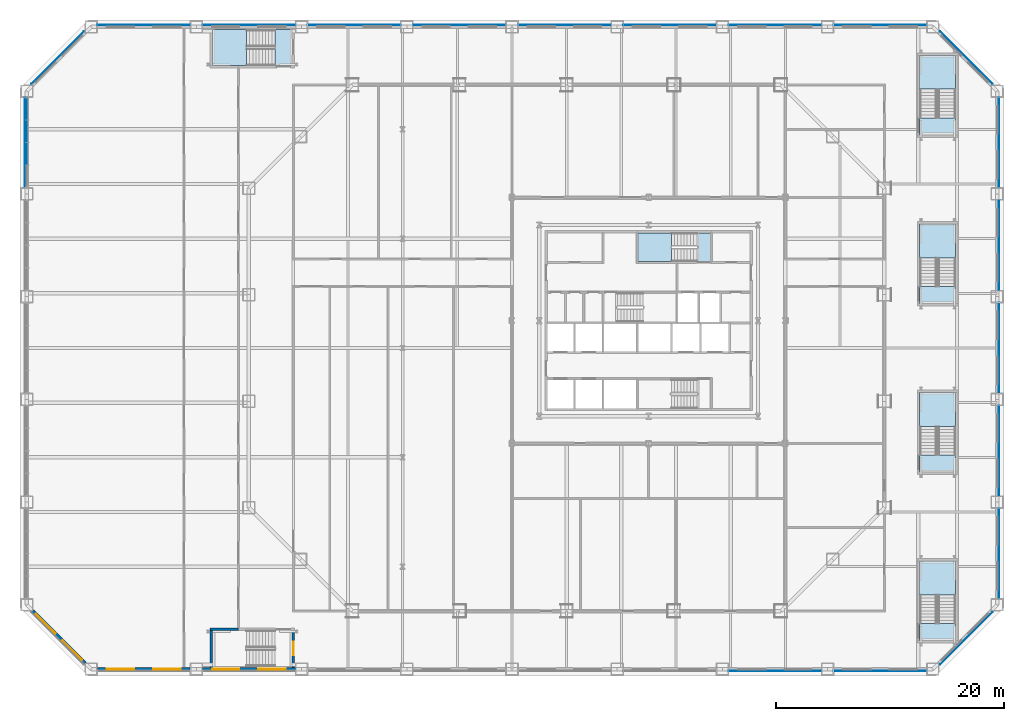
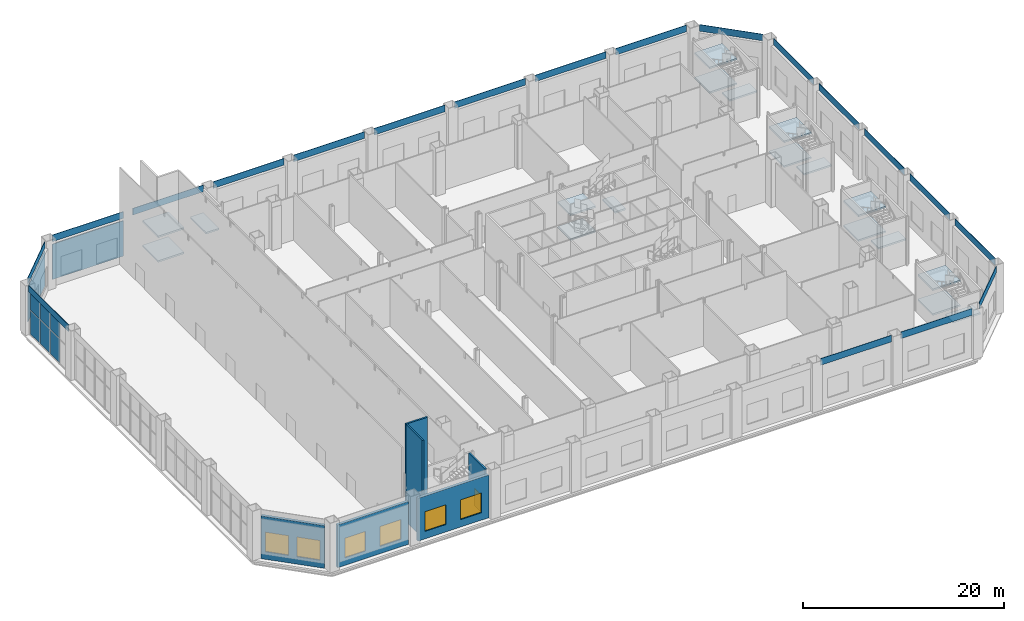
# One storey, part 15 of 31: 27 plates, 18 slabs, 6 walls, 6 windows, 1 door, 7 openings, 7 elements without a shape of their own.
"""IFC4 building model written with IfcOpenShell, lengths in metres."""

from ifc_helpers import new_model, si_unit, direction, frame, frame_2d, origin, origin_2d, place, context, subcontext, project, spatial, polyline, rectangle, outline, extrude, material, layer, layer_set, type_object, element, fill, aggregate, save


model = new_model("IFC4")

# Units and contexts
model_context = context("Model", 3, precision=1e-05, world=origin(), true_north=direction((0.0, 1.0)))
body_context = subcontext(model_context, "Body", "Model", "MODEL_VIEW")
ifc_project = project(units=[si_unit("LENGTHUNIT", "METRE"), si_unit("AREAUNIT", "SQUARE_METRE"), si_unit("VOLUMEUNIT", "CUBIC_METRE"), si_unit("PLANEANGLEUNIT", "RADIAN"), si_unit("MASSUNIT", "GRAM", prefix="KILO")], contexts=[model_context])

# Site, building, storey
site_placement = place(None, origin())
site = spatial("IfcSite", under=ifc_project, at=site_placement, CompositionType="ELEMENT")
building_placement = place(site_placement, origin())
building = spatial("IfcBuilding", under=site, at=building_placement, Name="Cairn Pilgrim Tower", CompositionType="ELEMENT")
storey_placement = place(building_placement, frame((0.0, 0.0, 9.0)))
storey = spatial("IfcBuildingStorey", under=building, at=storey_placement, Name="L01", CompositionType="ELEMENT", Elevation=9.0)

# Plates
ifc_material_1 = material(Name="Bronze anodised aluminium", Category="aluminium")
ifc_layer_1 = layer(ifc_material_1, 0.050048828125)
ifc_layer_set_1 = layer_set([ifc_layer_1], Name="BRONZE FASCIA PANEL 50")
plate_type_1 = type_object("IfcPlateType", Name="BRONZE FASCIA PANEL 50", PredefinedType="SHEET", material=ifc_layer_set_1)
for number, where, z_axis, x_axis, name in (
    (1, (18.294677734375, -28.375, 5.2001953125), (0.0, 0.0, 1.0), (1.0, 0.0, 0.0), "FASCIA"),
    (2, (27.532470703125, -28.375, 5.2001953125), (0.0, 0.0, 1.0), (1.0, 0.0, 0.0), "FASCIA"),
):
    element("IfcPlate", number, at=place(storey_placement, frame(where, z_axis=z_axis, x_axis=x_axis)), inside=storey, type_object=plate_type_1, Name=name, PredefinedType="SHEET", context=body_context, shape_type="SweptSolid", body=[
        extrude(rectangle(XDim=8.137939453125, YDim=0.050048828125, at=origin_2d()), origin(), (0.0, 0.0, 1.0), 0.800048828125),
    ])
plate_1_placement = place(storey_placement, frame((35.099609375, -25.49951171875, 5.2001953125), z_axis=(0.0, 0.0, 1.0), x_axis=(0.707106781187, 0.707106781187, 0.0)))
element("IfcPlate", 3, at=plate_1_placement, inside=storey, type_object=plate_type_1, Name="FASCIA", PredefinedType="SHEET", context=body_context, shape_type="SweptSolid", body=[
    extrude(rectangle(XDim=6.50830078125, YDim=0.050048828125, at=origin_2d()), origin(), (0.0, 0.0, 1.0), 0.800048828125),
])
for number, where, z_axis, x_axis, name in (
    (4, (37.97509765625, -18.041259765625, 5.2001953125), (0.0, 0.0, 1.0), (0.0, 1.0, 0.0), "FASCIA"),
    (5, (37.97509765625, -9.0205078125, 5.2001953125), (0.0, 0.0, 1.0), (0.0, 1.0, 0.0), "FASCIA"),
    (6, (37.97509765625, 0.0, 5.2001953125), (0.0, 0.0, 1.0), (0.0, 1.0, 0.0), "FASCIA"),
    (7, (37.97509765625, 9.0205078125, 5.2001953125), (0.0, 0.0, 1.0), (0.0, 1.0, 0.0), "FASCIA"),
    (8, (37.97509765625, 18.041259765625, 5.2001953125), (0.0, 0.0, 1.0), (0.0, 1.0, 0.0), "FASCIA"),
):
    element("IfcPlate", number, at=place(storey_placement, frame(where, z_axis=z_axis, x_axis=x_axis)), inside=storey, type_object=plate_type_1, Name=name, PredefinedType="SHEET", context=body_context, shape_type="SweptSolid", body=[
        extrude(rectangle(XDim=7.920654296875, YDim=0.050048828125, at=origin_2d()), origin(), (0.0, 0.0, 1.0), 0.800048828125),
    ])
plate_2_placement = place(storey_placement, frame((35.099609375, 25.49951171875, 5.2001953125), z_axis=(0.0, 0.0, 1.0), x_axis=(-0.707106781187, 0.707106781187, 0.0)))
element("IfcPlate", 9, at=plate_2_placement, inside=storey, type_object=plate_type_1, Name="FASCIA", PredefinedType="SHEET", context=body_context, shape_type="SweptSolid", body=[
    extrude(rectangle(XDim=6.50830078125, YDim=0.050048828125, at=origin_2d()), origin(), (0.0, 0.0, 1.0), 0.800048828125),
])
for number, where, z_axis, x_axis, name in (
    (10, (27.532470703125, 28.375, 5.2001953125), (0.0, 0.0, 1.0), (-1.0, 0.0, 0.0), "FASCIA"),
    (11, (18.294677734375, 28.375, 5.2001953125), (0.0, 0.0, 1.0), (-1.0, 0.0, 0.0), "FASCIA"),
    (12, (9.056884765625, 28.375, 5.2001953125), (0.0, 0.0, 1.0), (-1.0, 0.0, 0.0), "FASCIA"),
    (13, (-0.18115234375, 28.375, 5.2001953125), (0.0, 0.0, 1.0), (-1.0, 0.0, 0.0), "FASCIA"),
    (14, (-9.4189453125, 28.375, 5.2001953125), (0.0, 0.0, 1.0), (-1.0, 0.0, 0.0), "FASCIA"),
    (15, (-18.65673828125, 28.375, 5.2001953125), (0.0, 0.0, 1.0), (-1.0, 0.0, 0.0), "FASCIA"),
    (16, (-27.894775390625, 28.375, 5.2001953125), (0.0, 0.0, 1.0), (-1.0, 0.0, 0.0), "FASCIA"),
    (17, (-37.132568359375, 28.375, 5.2001953125), (0.0, 0.0, 1.0), (-1.0, 0.0, 0.0), "FASCIA"),
):
    element("IfcPlate", number, at=place(storey_placement, frame(where, z_axis=z_axis, x_axis=x_axis)), inside=storey, type_object=plate_type_1, Name=name, PredefinedType="SHEET", context=body_context, shape_type="SweptSolid", body=[
        extrude(rectangle(XDim=8.137939453125, YDim=0.050048828125, at=origin_2d()), origin(), (0.0, 0.0, 1.0), 0.800048828125),
    ])
plate_3_placement = place(storey_placement, frame((-44.699462890625, 25.49951171875, 5.2001953125), z_axis=(0.0, 0.0, 1.0), x_axis=(-0.707106781187, -0.707106781187, 0.0)))
element("IfcPlate", 18, at=plate_3_placement, inside=storey, type_object=plate_type_1, Name="FASCIA", PredefinedType="SHEET", context=body_context, shape_type="SweptSolid", body=[
    extrude(rectangle(XDim=6.50830078125, YDim=0.050048828125, at=origin_2d()), origin(), (0.0, 0.0, 1.0), 0.800048828125),
])
plate_4_placement = place(storey_placement, frame((-47.574951171875, 18.041259765625, 5.2001953125), z_axis=(0.0, 0.0, 1.0), x_axis=(0.0, -1.0, 0.0)))
element("IfcPlate", 19, at=plate_4_placement, inside=storey, type_object=plate_type_1, Name="FASCIA", PredefinedType="SHEET", context=body_context, shape_type="SweptSolid", body=[
    extrude(rectangle(XDim=7.920654296875, YDim=0.050048828125, at=origin_2d()), origin(), (0.0, 0.0, 1.0), 0.800048828125),
])
ifc_material_2 = material(Name="Perforated bronze anodised aluminium", Category="aluminium")
ifc_layer_2 = layer(ifc_material_2, 0.050048828125)
ifc_layer_set_2 = layer_set([ifc_layer_2], Name="COBOGO SCREEN 50 BRONZE")
plate_type_2 = type_object("IfcPlateType", Name="COBOGO SCREEN 50 BRONZE", PredefinedType="SHEET", material=ifc_layer_set_2)
plate_5_placement = place(storey_placement, frame((-37.132568359375, 28.375, 0.60009765625), z_axis=(0.0, 0.0, 1.0), x_axis=(-1.0, 0.0, 0.0)))
element("IfcPlate", 20, at=plate_5_placement, inside=storey, type_object=plate_type_2, Name="SCREEN", PredefinedType="SHEET", context=body_context, shape_type="SweptSolid", body=[
    extrude(rectangle(XDim=8.137939453125, YDim=0.050048828125, at=origin_2d()), origin(), (0.0, 0.0, 1.0), 4.300048828125),
])
plate_6_placement = place(storey_placement, frame((-44.699462890625, 25.49951171875, 0.60009765625), z_axis=(0.0, 0.0, 1.0), x_axis=(-0.707106781187, -0.707106781187, 0.0)))
element("IfcPlate", 21, at=plate_6_placement, inside=storey, type_object=plate_type_2, Name="SCREEN", PredefinedType="SHEET", context=body_context, shape_type="SweptSolid", body=[
    extrude(rectangle(XDim=6.50830078125, YDim=0.050048828125, at=origin_2d()), origin(), (0.0, 0.0, 1.0), 4.300048828125),
])

# Curtain wall, plates
ifc_material_3 = material(Name="Bronze anodised aluminium with Tinted laminated low-E glass", Category="aluminium")
curtain_wall_type = type_object("IfcCurtainWallType", Name="HALL CW", PredefinedType="NOTDEFINED", material=ifc_material_3)
curtain_wall_placement = place(storey_placement, origin())
curtain_wall = element("IfcCurtainWall", 22, at=curtain_wall_placement, inside=storey, type_object=curtain_wall_type, Name="HALL CW L01 W1-W2", PredefinedType="NOTDEFINED")
ifc_material_4 = material(Name="Tinted laminated low-E glass", Category="glass")
ifc_layer_3 = layer(ifc_material_4, 0.028076171875)
ifc_layer_set_3 = layer_set([ifc_layer_3], Name="HALL GLASS PANEL 1920x2020")
plate_type_3 = type_object("IfcPlateType", Name="HALL GLASS PANEL 1920x2020", PredefinedType="CURTAIN_PANEL", material=ifc_layer_set_3)
plate_7_placement = place(storey_placement, frame((-47.39990234375, 20.996337890625, 3.02978515625), z_axis=(0.0, 0.0, 1.0), x_axis=(0.0, -1.0, 0.0)))
plate_7 = element("IfcPlate", 23, at=plate_7_placement, type_object=plate_type_3, Name="HCW-W1-W2 panel 1.2", PredefinedType="CURTAIN_PANEL", context=body_context, shape_type="SweptSolid", body=[
    extrude(rectangle(XDim=1.89013671875, YDim=0.028076171875, at=origin_2d()), origin(), (0.0, 0.0, 1.0), 2.110107421875),
])
plate_8_placement = place(storey_placement, frame((-47.39990234375, 19.03125, 3.02978515625), z_axis=(0.0, 0.0, 1.0), x_axis=(0.0, -1.0, 0.0)))
plate_8 = element("IfcPlate", 24, at=plate_8_placement, type_object=plate_type_3, Name="HCW-W1-W2 panel 2.2", PredefinedType="CURTAIN_PANEL", context=body_context, shape_type="SweptSolid", body=[
    extrude(rectangle(XDim=1.920166015625, YDim=0.028076171875, at=origin_2d()), origin(), (0.0, 0.0, 1.0), 2.110107421875),
])
plate_9_placement = place(storey_placement, frame((-47.39990234375, 17.051025390625, 3.02978515625), z_axis=(0.0, 0.0, 1.0), x_axis=(0.0, -1.0, 0.0)))
plate_9 = element("IfcPlate", 25, at=plate_9_placement, type_object=plate_type_3, Name="HCW-W1-W2 panel 3.2", PredefinedType="CURTAIN_PANEL", context=body_context, shape_type="SweptSolid", body=[
    extrude(rectangle(XDim=1.920166015625, YDim=0.028076171875, at=origin_2d()), origin(), (0.0, 0.0, 1.0), 2.110107421875),
])
ifc_layer_4 = layer(ifc_material_4, 0.028076171875)
ifc_layer_set_4 = layer_set([ifc_layer_4], Name="HALL GLASS PANEL 1920x2820")
plate_type_4 = type_object("IfcPlateType", Name="HALL GLASS PANEL 1920x2820", PredefinedType="CURTAIN_PANEL", material=ifc_layer_set_4)
plate_10_placement = place(storey_placement, frame((-47.39990234375, 20.996337890625, 0.06005859375), z_axis=(0.0, 0.0, 1.0), x_axis=(0.0, -1.0, 0.0)))
plate_10 = element("IfcPlate", 26, at=plate_10_placement, type_object=plate_type_4, Name="HCW-W1-W2 panel 1.1", PredefinedType="CURTAIN_PANEL", context=body_context, shape_type="SweptSolid", body=[
    extrude(rectangle(XDim=1.89013671875, YDim=0.028076171875, at=origin_2d()), origin(), (0.0, 0.0, 1.0), 2.909912109375),
])
plate_11_placement = place(storey_placement, frame((-47.39990234375, 19.03125, 0.06005859375), z_axis=(0.0, 0.0, 1.0), x_axis=(0.0, -1.0, 0.0)))
plate_11 = element("IfcPlate", 27, at=plate_11_placement, type_object=plate_type_4, Name="HCW-W1-W2 panel 2.1", PredefinedType="CURTAIN_PANEL", context=body_context, shape_type="SweptSolid", body=[
    extrude(rectangle(XDim=1.920166015625, YDim=0.028076171875, at=origin_2d()), origin(), (0.0, 0.0, 1.0), 2.909912109375),
])
plate_12_placement = place(storey_placement, frame((-47.39990234375, 17.051025390625, 0.06005859375), z_axis=(0.0, 0.0, 1.0), x_axis=(0.0, -1.0, 0.0)))
plate_12 = element("IfcPlate", 28, at=plate_12_placement, type_object=plate_type_4, Name="HCW-W1-W2 panel 3.1", PredefinedType="CURTAIN_PANEL", context=body_context, shape_type="SweptSolid", body=[
    extrude(rectangle(XDim=1.920166015625, YDim=0.028076171875, at=origin_2d()), origin(), (0.0, 0.0, 1.0), 2.909912109375),
])
aggregate(curtain_wall, [plate_10, plate_7, plate_11, plate_8, plate_12, plate_9])

# Stair, slabs
ifc_material_5 = material(Name="Concrete C35/45", Category="concrete")
stair_type_1 = type_object("IfcStairType", Name="PODIUM EXIT STAIR 1500", PredefinedType="HALF_TURN_STAIR", material=ifc_material_5)
stair_1_placement = place(storey_placement, origin())
stair_1 = element("IfcStair", 29, at=stair_1_placement, inside=storey, type_object=stair_type_1, Name="L01 Exit Stair Hn", PredefinedType="HALF_TURN_STAIR")
ifc_layer_5 = layer(ifc_material_5, 0.199951171875)
ifc_layer_set_5 = layer_set([ifc_layer_5], Name="PODIUM STAIR LANDING 200")
slab_type_1 = type_object("IfcSlabType", Name="PODIUM STAIR LANDING 200", PredefinedType="LANDING", material=ifc_layer_set_5)
slab_1_placement = place(storey_placement, frame((0.0, 0.0, 1.300048828125)))
slab_1 = element("IfcSlab", 30, at=slab_1_placement, type_object=slab_type_1, Name="ST-HN landing 1", PredefinedType="LANDING", context=body_context, shape_type="SweptSolid", body=[
    extrude(outline(polyline([(-28.1201171875, 27.949951171875), (-31.10009765625, 27.949951171875), (-31.10009765625, 24.800048828125), (-28.1201171875, 24.800048828125), (-28.1201171875, 27.949951171875)])), origin(), (0.0, 0.0, 1.0), 0.199951171875),
])
slab_2_placement = place(storey_placement, frame((0.0, 0.0, 2.800048828125)))
slab_2 = element("IfcSlab", 31, at=slab_2_placement, type_object=slab_type_1, Name="ST-HN landing 2", PredefinedType="LANDING", context=body_context, shape_type="SweptSolid", body=[
    extrude(outline(polyline([(-24.10009765625, 27.949951171875), (-25.60009765625, 27.949951171875), (-25.60009765625, 24.800048828125), (-24.10009765625, 24.800048828125), (-24.10009765625, 27.949951171875)])), origin(), (0.0, 0.0, 1.0), 0.199951171875),
])
slab_3_placement = place(storey_placement, frame((0.0, 0.0, 4.300048828125)))
slab_3 = element("IfcSlab", 32, at=slab_3_placement, type_object=slab_type_1, Name="ST-HN landing 3", PredefinedType="LANDING", context=body_context, shape_type="SweptSolid", body=[
    extrude(outline(polyline([(-28.1201171875, 27.949951171875), (-31.10009765625, 27.949951171875), (-31.10009765625, 24.800048828125), (-28.1201171875, 24.800048828125), (-28.1201171875, 27.949951171875)])), origin(), (0.0, 0.0, 1.0), 0.199951171875),
])
aggregate(stair_1, [slab_1, slab_2, slab_3])

stair_2_placement = place(storey_placement, origin())
stair_2 = element("IfcStair", 33, at=stair_2_placement, inside=storey, type_object=stair_type_1, Name="L01 Exit Stair Es1", PredefinedType="HALF_TURN_STAIR")
slab_4_placement = place(storey_placement, frame((0.0, 0.0, 1.300048828125)))
slab_4 = element("IfcSlab", 34, at=slab_4_placement, type_object=slab_type_1, Name="ST-ES1 landing 1", PredefinedType="LANDING", context=body_context, shape_type="SweptSolid", body=[
    extrude(outline(polyline([(34.14990234375, -21.679931640625), (34.14990234375, -18.699951171875), (31.0, -18.699951171875), (31.0, -21.679931640625), (34.14990234375, -21.679931640625)])), origin(), (0.0, 0.0, 1.0), 0.199951171875),
])
slab_5_placement = place(storey_placement, frame((0.0, 0.0, 2.800048828125)))
slab_5 = element("IfcSlab", 35, at=slab_5_placement, type_object=slab_type_1, Name="ST-ES1 landing 2", PredefinedType="LANDING", context=body_context, shape_type="SweptSolid", body=[
    extrude(outline(polyline([(34.14990234375, -25.699951171875), (34.14990234375, -24.199951171875), (31.0, -24.199951171875), (31.0, -25.699951171875), (34.14990234375, -25.699951171875)])), origin(), (0.0, 0.0, 1.0), 0.199951171875),
])
slab_6_placement = place(storey_placement, frame((0.0, 0.0, 4.300048828125)))
slab_6 = element("IfcSlab", 36, at=slab_6_placement, type_object=slab_type_1, Name="ST-ES1 landing 3", PredefinedType="LANDING", context=body_context, shape_type="SweptSolid", body=[
    extrude(outline(polyline([(34.14990234375, -21.679931640625), (34.14990234375, -18.699951171875), (31.0, -18.699951171875), (31.0, -21.679931640625), (34.14990234375, -21.679931640625)])), origin(), (0.0, 0.0, 1.0), 0.199951171875),
])
aggregate(stair_2, [slab_4, slab_5, slab_6])

stair_3_placement = place(storey_placement, origin())
stair_3 = element("IfcStair", 37, at=stair_3_placement, inside=storey, type_object=stair_type_1, Name="L01 Exit Stair Es2", PredefinedType="HALF_TURN_STAIR")
slab_7_placement = place(storey_placement, frame((0.0, 0.0, 1.300048828125)))
slab_7 = element("IfcSlab", 38, at=slab_7_placement, type_object=slab_type_1, Name="ST-ES2 landing 1", PredefinedType="LANDING", context=body_context, shape_type="SweptSolid", body=[
    extrude(outline(polyline([(34.14990234375, -6.8798828125), (34.14990234375, -3.89990234375), (31.0, -3.89990234375), (31.0, -6.8798828125), (34.14990234375, -6.8798828125)])), origin(), (0.0, 0.0, 1.0), 0.199951171875),
])
slab_8_placement = place(storey_placement, frame((0.0, 0.0, 2.800048828125)))
slab_8 = element("IfcSlab", 39, at=slab_8_placement, type_object=slab_type_1, Name="ST-ES2 landing 2", PredefinedType="LANDING", context=body_context, shape_type="SweptSolid", body=[
    extrude(outline(polyline([(34.14990234375, -10.89990234375), (34.14990234375, -9.39990234375), (31.0, -9.39990234375), (31.0, -10.89990234375), (34.14990234375, -10.89990234375)])), origin(), (0.0, 0.0, 1.0), 0.199951171875),
])
slab_9_placement = place(storey_placement, frame((0.0, 0.0, 4.300048828125)))
slab_9 = element("IfcSlab", 40, at=slab_9_placement, type_object=slab_type_1, Name="ST-ES2 landing 3", PredefinedType="LANDING", context=body_context, shape_type="SweptSolid", body=[
    extrude(outline(polyline([(34.14990234375, -6.8798828125), (34.14990234375, -3.89990234375), (31.0, -3.89990234375), (31.0, -6.8798828125), (34.14990234375, -6.8798828125)])), origin(), (0.0, 0.0, 1.0), 0.199951171875),
])
aggregate(stair_3, [slab_7, slab_8, slab_9])

stair_4_placement = place(storey_placement, origin())
stair_4 = element("IfcStair", 41, at=stair_4_placement, inside=storey, type_object=stair_type_1, Name="L01 Exit Stair Es3", PredefinedType="HALF_TURN_STAIR")
slab_10_placement = place(storey_placement, frame((0.0, 0.0, 1.300048828125)))
slab_10 = element("IfcSlab", 42, at=slab_10_placement, type_object=slab_type_1, Name="ST-ES3 landing 1", PredefinedType="LANDING", context=body_context, shape_type="SweptSolid", body=[
    extrude(outline(polyline([(34.14990234375, 7.919921875), (34.14990234375, 10.89990234375), (31.0, 10.89990234375), (31.0, 7.919921875), (34.14990234375, 7.919921875)])), origin(), (0.0, 0.0, 1.0), 0.199951171875),
])
slab_11_placement = place(storey_placement, frame((0.0, 0.0, 2.800048828125)))
slab_11 = element("IfcSlab", 43, at=slab_11_placement, type_object=slab_type_1, Name="ST-ES3 landing 2", PredefinedType="LANDING", context=body_context, shape_type="SweptSolid", body=[
    extrude(outline(polyline([(34.14990234375, 3.89990234375), (34.14990234375, 5.39990234375), (31.0, 5.39990234375), (31.0, 3.89990234375), (34.14990234375, 3.89990234375)])), origin(), (0.0, 0.0, 1.0), 0.199951171875),
])
slab_12_placement = place(storey_placement, frame((0.0, 0.0, 4.300048828125)))
slab_12 = element("IfcSlab", 44, at=slab_12_placement, type_object=slab_type_1, Name="ST-ES3 landing 3", PredefinedType="LANDING", context=body_context, shape_type="SweptSolid", body=[
    extrude(outline(polyline([(34.14990234375, 7.919921875), (34.14990234375, 10.89990234375), (31.0, 10.89990234375), (31.0, 7.919921875), (34.14990234375, 7.919921875)])), origin(), (0.0, 0.0, 1.0), 0.199951171875),
])
aggregate(stair_4, [slab_10, slab_11, slab_12])

stair_5_placement = place(storey_placement, origin())
stair_5 = element("IfcStair", 45, at=stair_5_placement, inside=storey, type_object=stair_type_1, Name="L01 Exit Stair Es4", PredefinedType="HALF_TURN_STAIR")
slab_13_placement = place(storey_placement, frame((0.0, 0.0, 1.300048828125)))
slab_13 = element("IfcSlab", 46, at=slab_13_placement, type_object=slab_type_1, Name="ST-ES4 landing 1", PredefinedType="LANDING", context=body_context, shape_type="SweptSolid", body=[
    extrude(outline(polyline([(34.14990234375, 22.719970703125), (34.14990234375, 25.699951171875), (31.0, 25.699951171875), (31.0, 22.719970703125), (34.14990234375, 22.719970703125)])), origin(), (0.0, 0.0, 1.0), 0.199951171875),
])
slab_14_placement = place(storey_placement, frame((0.0, 0.0, 2.800048828125)))
slab_14 = element("IfcSlab", 47, at=slab_14_placement, type_object=slab_type_1, Name="ST-ES4 landing 2", PredefinedType="LANDING", context=body_context, shape_type="SweptSolid", body=[
    extrude(outline(polyline([(34.14990234375, 18.699951171875), (34.14990234375, 20.199951171875), (31.0, 20.199951171875), (31.0, 18.699951171875), (34.14990234375, 18.699951171875)])), origin(), (0.0, 0.0, 1.0), 0.199951171875),
])
slab_15_placement = place(storey_placement, frame((0.0, 0.0, 4.300048828125)))
slab_15 = element("IfcSlab", 48, at=slab_15_placement, type_object=slab_type_1, Name="ST-ES4 landing 3", PredefinedType="LANDING", context=body_context, shape_type="SweptSolid", body=[
    extrude(outline(polyline([(34.14990234375, 22.719970703125), (34.14990234375, 25.699951171875), (31.0, 25.699951171875), (31.0, 22.719970703125), (34.14990234375, 22.719970703125)])), origin(), (0.0, 0.0, 1.0), 0.199951171875),
])
aggregate(stair_5, [slab_13, slab_14, slab_15])

ifc_material_6 = material(Name="Concrete C32/40", Category="concrete")
stair_type_2 = type_object("IfcStairType", Name="EXIT STAIR 1200", PredefinedType="HALF_TURN_STAIR", material=ifc_material_6)
stair_6_placement = place(storey_placement, origin())
stair_6 = element("IfcStair", 49, at=stair_6_placement, inside=storey, type_object=stair_type_2, Name="L01 Exit Stair C", PredefinedType="HALF_TURN_STAIR")
ifc_layer_6 = layer(ifc_material_6, 0.199951171875)
ifc_layer_set_6 = layer_set([ifc_layer_6], Name="STAIR LANDING 200")
slab_type_2 = type_object("IfcSlabType", Name="STAIR LANDING 200", PredefinedType="LANDING", material=ifc_layer_set_6)
slab_16_placement = place(storey_placement, frame((0.0, 0.0, 1.300048828125)))
slab_16 = element("IfcSlab", 50, at=slab_16_placement, type_object=slab_type_2, Name="ST-C landing 1", PredefinedType="LANDING", context=body_context, shape_type="SweptSolid", body=[
    extrude(outline(polyline([(9.18505859375, 10.10009765625), (6.27490234375, 10.10009765625), (6.27490234375, 7.574951171875), (9.18505859375, 7.574951171875), (9.18505859375, 10.10009765625)])), origin(), (0.0, 0.0, 1.0), 0.199951171875),
])
slab_17_placement = place(storey_placement, frame((0.0, 0.0, 2.800048828125)))
slab_17 = element("IfcSlab", 51, at=slab_17_placement, type_object=slab_type_2, Name="ST-C landing 2", PredefinedType="LANDING", context=body_context, shape_type="SweptSolid", body=[
    extrude(outline(polyline([(12.625, 10.10009765625), (11.425048828125, 10.10009765625), (11.425048828125, 7.574951171875), (12.625, 7.574951171875), (12.625, 10.10009765625)])), origin(), (0.0, 0.0, 1.0), 0.199951171875),
])
slab_18_placement = place(storey_placement, frame((0.0, 0.0, 4.300048828125)))
slab_18 = element("IfcSlab", 52, at=slab_18_placement, type_object=slab_type_2, Name="ST-C landing 3", PredefinedType="LANDING", context=body_context, shape_type="SweptSolid", body=[
    extrude(outline(polyline([(9.18505859375, 10.10009765625), (6.27490234375, 10.10009765625), (6.27490234375, 7.574951171875), (9.18505859375, 7.574951171875), (9.18505859375, 10.10009765625)])), origin(), (0.0, 0.0, 1.0), 0.199951171875),
])
aggregate(stair_6, [slab_16, slab_17, slab_18])

# Wall
ifc_layer_7 = layer(ifc_material_5, 0.199951171875)
ifc_layer_set_7 = layer_set([ifc_layer_7], Name="PODIUM STAIR WALL 200 EI 120")
wall_type_1 = type_object("IfcWallType", Name="PODIUM STAIR WALL 200 EI 120", PredefinedType="SOLIDWALL", material=ifc_layer_set_7)
wall_1_placement = place(storey_placement, frame((-31.199951171875, -28.050048828125, 0.0), z_axis=(0.0, 0.0, 1.0), x_axis=(0.0, 1.0, 0.0)))
element("IfcWall", 53, at=wall_1_placement, inside=storey, type_object=wall_type_1, Name="STAIR SHAFT WALL W002", PredefinedType="SOLIDWALL", context=body_context, shape_type="SweptSolid", body=[
    extrude(rectangle(XDim=3.25, YDim=0.199951171875, at=frame_2d((1.625, 0.0))), origin(), (0.0, 0.0, 1.0), 11.800048828125),
])

# Wall, opening, door
wall_2_placement = place(storey_placement, frame((-24.0, -28.050048828125, 0.0), z_axis=(0.0, 0.0, 1.0), x_axis=(0.0, 1.0, 0.0)))
wall_2 = element("IfcWall", 54, at=wall_2_placement, inside=storey, type_object=wall_type_1, Name="STAIR SHAFT WALL W003", PredefinedType="SOLIDWALL", context=body_context, shape_type="SweptSolid", body=[
    extrude(rectangle(XDim=3.25, YDim=0.199951171875, at=frame_2d((1.625, 0.0))), origin(), (0.0, 0.0, 1.0), 5.800048828125),
])
opening_1_placement = place(wall_2_placement, frame((1.050048828125, 0.0, 0.0)))
opening_1 = element("IfcOpeningElement", 55, at=opening_1_placement, cuts=wall_2, Name="Opening 0127", PredefinedType="OPENING", context=body_context, shape_type="SweptSolid", body=[
    extrude(rectangle(XDim=1.199951171875, YDim=2.10009765625, at=frame_2d((0.60009765625, 1.050048828125))), frame((0.0, 0.10986328125, 0.0), z_axis=(0.0, -1.0, 0.0), x_axis=(1.0, 0.0, 0.0)), (0.0, 0.0, 1.0), 0.219970703125),
])
ifc_material_7 = material(Name="Steel-faced fire door leaf", Category="steel")
door_type = type_object("IfcDoorType", Name="FIRE DOOR 1200x2100 FD60S", OperationType="NOTDEFINED", PredefinedType="DOOR", material=ifc_material_7)
door_placement = place(opening_1_placement, origin())
door = element("IfcDoor", 56, at=door_placement, inside=storey, type_object=door_type, Name="DOOR 0127", OperationType="SINGLE_SWING_LEFT", OverallHeight=2.10009765625, OverallWidth=1.199951171875, PredefinedType="DOOR", context=body_context, shape_type="SweptSolid", body=[
    extrude(rectangle(XDim=1.199951171875, YDim=2.10009765625, at=frame_2d((0.60009765625, 1.050048828125))), frame((0.0, 0.02490234375, 0.0), z_axis=(0.0, -1.0, 0.0), x_axis=(1.0, 0.0, 0.0)), (0.0, 0.0, 1.0), 0.050048828125),
])
fill(opening_1, door)

# Wall
wall_3_placement = place(storey_placement, frame((-31.300048828125, -24.699951171875, 0.0), z_axis=(0.0, 0.0, 1.0), x_axis=(1.0, 0.0, 0.0)))
element("IfcWall", 57, at=wall_3_placement, inside=storey, type_object=wall_type_1, Name="STAIR SHAFT WALL W007", PredefinedType="SOLIDWALL", context=body_context, shape_type="SweptSolid", body=[
    extrude(rectangle(XDim=2.5, YDim=0.199951171875, at=frame_2d((1.25, 0.0))), origin(), (0.0, 0.0, 1.0), 11.800048828125),
])

# Wall, openings, windows
ifc_material_8 = material(Name="Concrete C35/45 backup wall with bronze aluminium cladding", Category="concrete")
ifc_layer_8 = layer(ifc_material_8, 0.300048828125)
ifc_layer_set_8 = layer_set([ifc_layer_8], Name="PODIUM WALL 300 BRONZE-CLAD")
wall_type_2 = type_object("IfcWallType", Name="PODIUM WALL 300 BRONZE-CLAD", PredefinedType="SOLIDWALL", material=ifc_layer_set_8)
wall_4_placement = place(storey_placement, frame((-41.201416015625, -28.199951171875, 0.0), z_axis=(0.0, 0.0, 1.0), x_axis=(1.0, 0.0, 0.0)))
wall_4 = element("IfcWall", 58, at=wall_4_placement, inside=storey, type_object=wall_type_2, Name="PODIUM EXTERNAL WALL S1-S2", PredefinedType="SOLIDWALL", context=body_context, shape_type="SweptSolid", body=[
    extrude(rectangle(XDim=8.1376953125, YDim=0.300048828125, at=frame_2d((4.06884765625, 0.0))), origin(), (0.0, 0.0, 1.0), 5.199951171875),
])
opening_2_placement = place(wall_4_placement, frame((0.83447265625, 0.0, 0.89990234375)))
opening_2 = element("IfcOpeningElement", 59, at=opening_2_placement, cuts=wall_4, Name="Opening PW24", PredefinedType="OPENING", context=body_context, shape_type="SweptSolid", body=[
    extrude(rectangle(XDim=2.39990234375, YDim=2.39990234375, at=frame_2d((1.199951171875, 1.199951171875))), frame((0.0, 0.16015625, 0.0), z_axis=(0.0, -1.0, 0.0), x_axis=(1.0, 0.0, 0.0)), (0.0, 0.0, 1.0), 0.320068359375),
])
opening_3_placement = place(wall_4_placement, frame((4.9033203125, 0.0, 0.89990234375)))
opening_3 = element("IfcOpeningElement", 60, at=opening_3_placement, cuts=wall_4, Name="Opening PW24", PredefinedType="OPENING", context=body_context, shape_type="SweptSolid", body=[
    extrude(rectangle(XDim=2.39990234375, YDim=2.39990234375, at=frame_2d((1.199951171875, 1.199951171875))), frame((0.0, 0.16015625, 0.0), z_axis=(0.0, -1.0, 0.0), x_axis=(1.0, 0.0, 0.0)), (0.0, 0.0, 1.0), 0.320068359375),
])
ifc_material_9 = material(Name="Bronze anodised aluminium frame with tinted low-E glass", Category="aluminium")
window_type = type_object("IfcWindowType", Name="PODIUM FIXED WINDOW 2400x2400", PartitioningType="SINGLE_PANEL", PredefinedType="WINDOW", material=ifc_material_9)
window_1_placement = place(opening_2_placement, origin())
window_1 = element("IfcWindow", 61, at=window_1_placement, inside=storey, type_object=window_type, Name="PODIUM WINDOW", OverallHeight=2.39990234375, OverallWidth=2.39990234375, PartitioningType="SINGLE_PANEL", PredefinedType="WINDOW", context=body_context, shape_type="SweptSolid", body=[
    extrude(rectangle(XDim=2.39990234375, YDim=2.39990234375, at=frame_2d((1.199951171875, 1.199951171875))), frame((0.0, 0.030029296875, 0.0), z_axis=(0.0, -1.0, 0.0), x_axis=(1.0, 0.0, 0.0)), (0.0, 0.0, 1.0), 0.06005859375),
])
fill(opening_2, window_1)
window_2_placement = place(opening_3_placement, origin())
window_2 = element("IfcWindow", 62, at=window_2_placement, inside=storey, type_object=window_type, Name="PODIUM WINDOW", OverallHeight=2.39990234375, OverallWidth=2.39990234375, PartitioningType="SINGLE_PANEL", PredefinedType="WINDOW", context=body_context, shape_type="SweptSolid", body=[
    extrude(rectangle(XDim=2.39990234375, YDim=2.39990234375, at=frame_2d((1.199951171875, 1.199951171875))), frame((0.0, 0.030029296875, 0.0), z_axis=(0.0, -1.0, 0.0), x_axis=(1.0, 0.0, 0.0)), (0.0, 0.0, 1.0), 0.06005859375),
])
fill(opening_3, window_2)

wall_5_placement = place(storey_placement, frame((-31.963623046875, -28.199951171875, 0.0), z_axis=(0.0, 0.0, 1.0), x_axis=(1.0, 0.0, 0.0)))
wall_5 = element("IfcWall", 63, at=wall_5_placement, inside=storey, type_object=wall_type_2, Name="PODIUM EXTERNAL WALL S2-S3", PredefinedType="SOLIDWALL", context=body_context, shape_type="SweptSolid", body=[
    extrude(rectangle(XDim=8.137939453125, YDim=0.300048828125, at=frame_2d((4.06884765625, 0.0))), origin(), (0.0, 0.0, 1.0), 5.199951171875),
])
opening_4_placement = place(wall_5_placement, frame((0.83447265625, 0.0, 0.89990234375)))
opening_4 = element("IfcOpeningElement", 64, at=opening_4_placement, cuts=wall_5, Name="Opening PW24", PredefinedType="OPENING", context=body_context, shape_type="SweptSolid", body=[
    extrude(rectangle(XDim=2.39990234375, YDim=2.39990234375, at=frame_2d((1.199951171875, 1.199951171875))), frame((0.0, 0.16015625, 0.0), z_axis=(0.0, -1.0, 0.0), x_axis=(1.0, 0.0, 0.0)), (0.0, 0.0, 1.0), 0.320068359375),
])
opening_5_placement = place(wall_5_placement, frame((4.9033203125, 0.0, 0.89990234375)))
opening_5 = element("IfcOpeningElement", 65, at=opening_5_placement, cuts=wall_5, Name="Opening PW24", PredefinedType="OPENING", context=body_context, shape_type="SweptSolid", body=[
    extrude(rectangle(XDim=2.39990234375, YDim=2.39990234375, at=frame_2d((1.199951171875, 1.199951171875))), frame((0.0, 0.16015625, 0.0), z_axis=(0.0, -1.0, 0.0), x_axis=(1.0, 0.0, 0.0)), (0.0, 0.0, 1.0), 0.320068359375),
])
window_3_placement = place(opening_4_placement, origin())
window_3 = element("IfcWindow", 66, at=window_3_placement, inside=storey, type_object=window_type, Name="PODIUM WINDOW", OverallHeight=2.39990234375, OverallWidth=2.39990234375, PartitioningType="SINGLE_PANEL", PredefinedType="WINDOW", context=body_context, shape_type="SweptSolid", body=[
    extrude(rectangle(XDim=2.39990234375, YDim=2.39990234375, at=frame_2d((1.199951171875, 1.199951171875))), frame((0.0, 0.030029296875, 0.0), z_axis=(0.0, -1.0, 0.0), x_axis=(1.0, 0.0, 0.0)), (0.0, 0.0, 1.0), 0.06005859375),
])
fill(opening_4, window_3)
window_4_placement = place(opening_5_placement, origin())
window_4 = element("IfcWindow", 67, at=window_4_placement, inside=storey, type_object=window_type, Name="PODIUM WINDOW", OverallHeight=2.39990234375, OverallWidth=2.39990234375, PartitioningType="SINGLE_PANEL", PredefinedType="WINDOW", context=body_context, shape_type="SweptSolid", body=[
    extrude(rectangle(XDim=2.39990234375, YDim=2.39990234375, at=frame_2d((1.199951171875, 1.199951171875))), frame((0.0, 0.030029296875, 0.0), z_axis=(0.0, -1.0, 0.0), x_axis=(1.0, 0.0, 0.0)), (0.0, 0.0, 1.0), 0.06005859375),
])
fill(opening_5, window_4)

wall_6_placement = place(storey_placement, frame((-46.876708984375, -23.07470703125, 0.0), z_axis=(0.0, 0.0, 1.0), x_axis=(0.707106781187, -0.707106781187, 0.0)))
wall_6 = element("IfcWall", 68, at=wall_6_placement, inside=storey, type_object=wall_type_2, Name="PODIUM EXTERNAL WALL SW1-S1", PredefinedType="SOLIDWALL", context=body_context, shape_type="SweptSolid", body=[
    extrude(rectangle(XDim=6.50830078125, YDim=0.300048828125, at=frame_2d((3.254150390625, 0.0))), origin(), (0.0, 0.0, 1.0), 5.199951171875),
])
opening_6_placement = place(wall_6_placement, frame((0.427001953125, 0.0, 0.89990234375)))
opening_6 = element("IfcOpeningElement", 69, at=opening_6_placement, cuts=wall_6, Name="Opening PW24", PredefinedType="OPENING", context=body_context, shape_type="SweptSolid", body=[
    extrude(rectangle(XDim=2.39990234375, YDim=2.39990234375, at=frame_2d((1.199951171875, 1.199951171875))), frame((0.0, 0.16015625, 0.0), z_axis=(0.0, -1.0, 0.0), x_axis=(1.0, 0.0, 0.0)), (0.0, 0.0, 1.0), 0.320068359375),
])
opening_7_placement = place(wall_6_placement, frame((3.68115234375, 0.0, 0.89990234375)))
opening_7 = element("IfcOpeningElement", 70, at=opening_7_placement, cuts=wall_6, Name="Opening PW24", PredefinedType="OPENING", context=body_context, shape_type="SweptSolid", body=[
    extrude(rectangle(XDim=2.39990234375, YDim=2.39990234375, at=frame_2d((1.199951171875, 1.199951171875))), frame((0.0, 0.16015625, 0.0), z_axis=(0.0, -1.0, 0.0), x_axis=(1.0, 0.0, 0.0)), (0.0, 0.0, 1.0), 0.320068359375),
])
window_5_placement = place(opening_6_placement, origin())
window_5 = element("IfcWindow", 71, at=window_5_placement, inside=storey, type_object=window_type, Name="PODIUM WINDOW", OverallHeight=2.39990234375, OverallWidth=2.39990234375, PartitioningType="SINGLE_PANEL", PredefinedType="WINDOW", context=body_context, shape_type="SweptSolid", body=[
    extrude(rectangle(XDim=2.39990234375, YDim=2.39990234375, at=frame_2d((1.199951171875, 1.199951171875))), frame((0.0, 0.030029296875, 0.0), z_axis=(0.0, -1.0, 0.0), x_axis=(1.0, 0.0, 0.0)), (0.0, 0.0, 1.0), 0.06005859375),
])
fill(opening_6, window_5)
window_6_placement = place(opening_7_placement, origin())
window_6 = element("IfcWindow", 72, at=window_6_placement, inside=storey, type_object=window_type, Name="PODIUM WINDOW", OverallHeight=2.39990234375, OverallWidth=2.39990234375, PartitioningType="SINGLE_PANEL", PredefinedType="WINDOW", context=body_context, shape_type="SweptSolid", body=[
    extrude(rectangle(XDim=2.39990234375, YDim=2.39990234375, at=frame_2d((1.199951171875, 1.199951171875))), frame((0.0, 0.030029296875, 0.0), z_axis=(0.0, -1.0, 0.0), x_axis=(1.0, 0.0, 0.0)), (0.0, 0.0, 1.0), 0.06005859375),
])
fill(opening_7, window_6)

save(model, "model.ifc")
